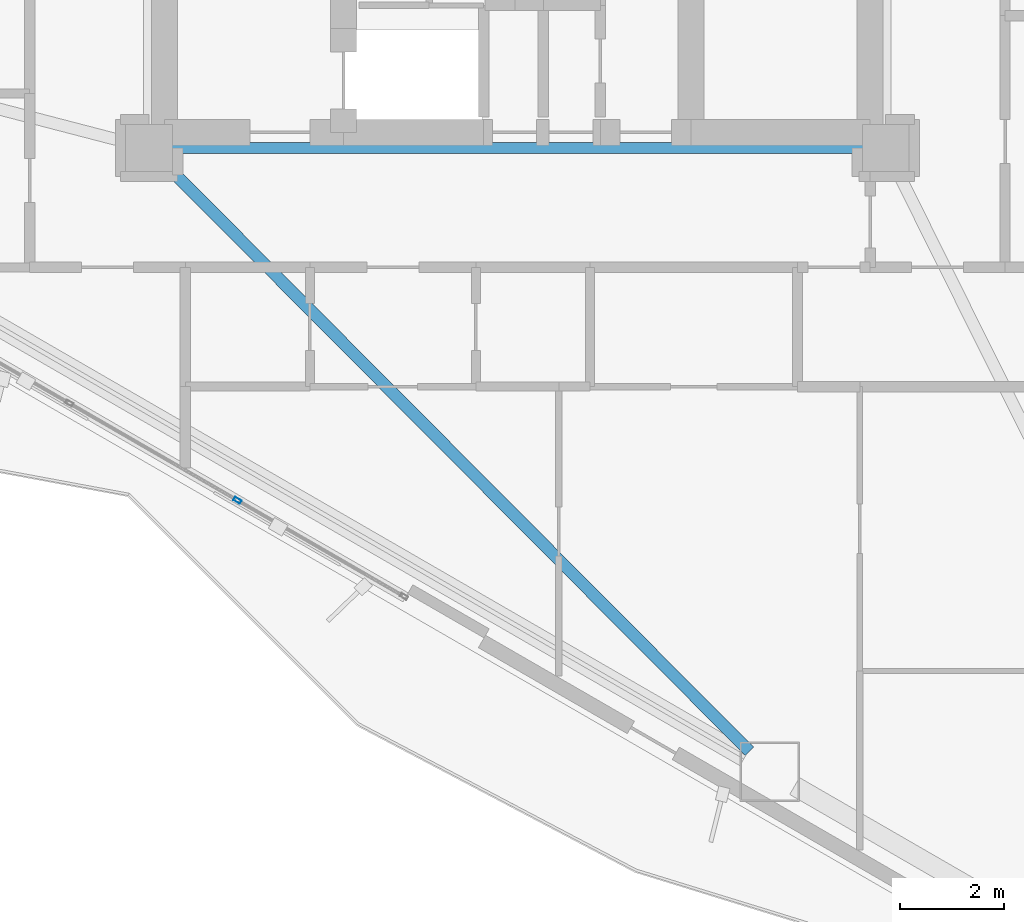
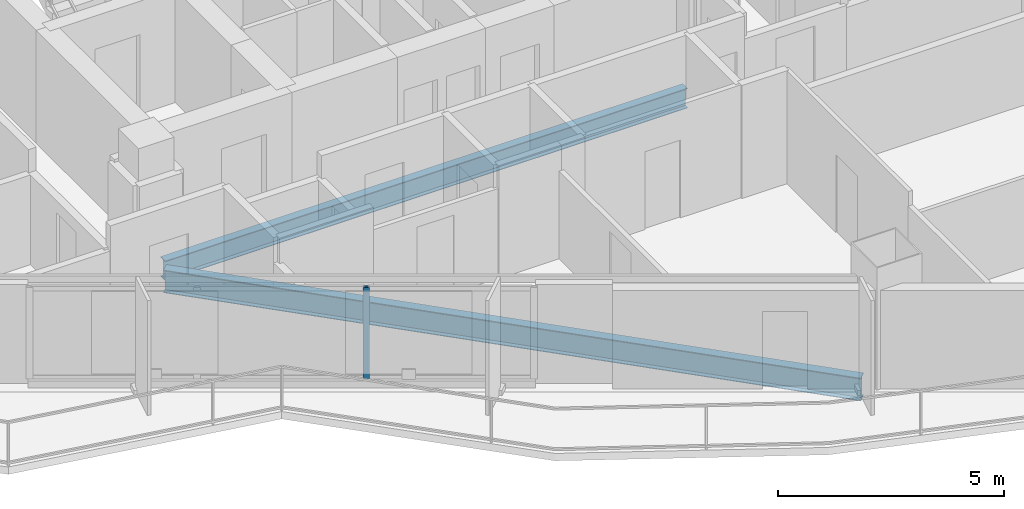
# One storey, part 4 of 22: 2 beams, 1 member, 1 element without a shape of its own.
"""IFC4 building model written with IfcOpenShell, lengths in metres."""

from ifc_helpers import new_model, si_unit, direction, frame, origin, origin_2d, place, context, subcontext, project, spatial, hollow_rectangle, i_section, extrude, material, layer, layer_set, material_profile, profile_set, type_object, element, aggregate, save


model = new_model("IFC4")

# Units and contexts
model_context = context("Model", 3, precision=1e-05, world=origin(), true_north=direction((0.0, 1.0)))
body_context = subcontext(model_context, "Body", "Model", "MODEL_VIEW")
ifc_project = project(units=[si_unit("LENGTHUNIT", "METRE"), si_unit("AREAUNIT", "SQUARE_METRE"), si_unit("VOLUMEUNIT", "CUBIC_METRE"), si_unit("PLANEANGLEUNIT", "RADIAN"), si_unit("MASSUNIT", "GRAM", prefix="KILO")], contexts=[model_context])

# Site, building, storey
site_placement = place(None, origin())
site = spatial("IfcSite", under=ifc_project, at=site_placement, CompositionType="ELEMENT")
building_placement = place(site_placement, origin())
building = spatial("IfcBuilding", under=site, at=building_placement, Name="Mersakhor Tower and Convention Hall", CompositionType="ELEMENT")
storey_placement = place(building_placement, frame((0.0, 0.0, 90.0)))
storey = spatial("IfcBuildingStorey", under=building, at=storey_placement, Name="L24", CompositionType="ELEMENT", Elevation=90.0)

# Beams
ifc_material_1 = material(Name="Steel S355", Category="steel")
ifc_material_profile_1 = material_profile(ifc_material_1, i_section(OverallWidth=0.2099609375, OverallDepth=0.53662109375, WebThickness=0.0107421875, FlangeThickness=0.017333984375, at=origin_2d()), Name="UB 533x210x101")
ifc_profile_set_1 = profile_set([ifc_material_profile_1], Name="Steel S355")
beam_type_1 = type_object("IfcBeamType", Name="BM-FB-533", PredefinedType="BEAM", material=ifc_profile_set_1)
beam_1_placement = place(storey_placement, frame((35.669921875, 20.449951171875, -0.518310546875), z_axis=(-1.0, 0.0, 0.0), x_axis=(0.0, -1.0, 0.0)))
element("IfcBeam", 1, at=beam_1_placement, inside=storey, type_object=beam_type_1, Name="L24 Core Ring Tie Beam CRB-4", PredefinedType="BEAM", context=body_context, shape_type="SweptSolid", body=[
    extrude(i_section(OverallWidth=0.2099609375, OverallDepth=0.53662109375, WebThickness=0.0107421875, FlangeThickness=0.017333984375, at=origin_2d()), origin(), (0.0, 0.0, 1.0), 13.33984375),
])
ifc_material_2 = material(Name="Steel S355", Category="steel")
ifc_material_profile_2 = material_profile(ifc_material_2, i_section(OverallWidth=0.22900390625, OverallDepth=0.6123046875, WebThickness=0.011962890625, FlangeThickness=0.01953125, at=origin_2d()), Name="UB 610x229x125")
ifc_profile_set_2 = profile_set([ifc_material_profile_2], Name="Steel S355")
beam_type_2 = type_object("IfcBeamType", Name="BM-PR-610", PredefinedType="BEAM", material=ifc_profile_set_2)
beam_2_placement = place(storey_placement, frame((22.203369140625, 20.145263671875, -0.55615234375), z_axis=(0.705400603107, -0.708808852327, 0.0), x_axis=(0.708808852327, 0.705400603107, 0.0)))
element("IfcBeam", 2, at=beam_2_placement, inside=storey, type_object=beam_type_2, Name="L24 Primary Floor Girder FG-5", PredefinedType="BEAM", context=body_context, shape_type="SweptSolid", body=[
    extrude(i_section(OverallWidth=0.22900390625, OverallDepth=0.6123046875, WebThickness=0.011962890625, FlangeThickness=0.01953125, at=origin_2d()), origin(), (0.0, 0.0, 1.0), 15.973876953125),
])

# Curtain wall, member
ifc_material_3 = material(Name="Dark solar low-E aluminium curtain wall", Category="aluminium")
ifc_layer = layer(ifc_material_3, 0.159912109375)
ifc_layer_set = layer_set([ifc_layer], Name="Dark solar low-E aluminium curtain wall")
curtain_wall_type = type_object("IfcCurtainWallType", Name="CW-SYS-01", PredefinedType="USERDEFINED", material=ifc_layer_set)
curtain_wall_placement = place(storey_placement, origin())
curtain_wall = element("IfcCurtainWall", 3, at=curtain_wall_placement, inside=storey, type_object=curtain_wall_type, Name="L24 Dark-Glass Curtain Wall F3-B2", ObjectType="CURTAIN WALL", PredefinedType="USERDEFINED")
ifc_material_4 = material(Name="Anodised aluminium EN AW-6063 T6", Category="aluminium")
ifc_material_profile_3 = material_profile(ifc_material_4, hollow_rectangle(XDim=0.074951171875, YDim=0.14990234375, WallThickness=0.00634765625, at=origin_2d()), Name="RHS 150x75x6.3")
ifc_profile_set_3 = profile_set([ifc_material_profile_3], Name="Anodised aluminium EN AW-6063 T6")
member_type = type_object("IfcMemberType", Name="CWM-150x75", PredefinedType="MULLION", material=ifc_profile_set_3)
member_placement = place(storey_placement, frame((23.603515625, 13.659912109375, 0.199951171875), z_axis=(0.0, 0.0, 1.0), x_axis=(-0.499997904985, -0.866026613339, 0.0)))
member = element("IfcMember", 4, at=member_placement, type_object=member_type, Name="CW-01 mullion 2", PredefinedType="MULLION", context=body_context, shape_type="SweptSolid", body=[
    extrude(hollow_rectangle(XDim=0.074951171875, YDim=0.14990234375, WallThickness=0.00634765625, at=origin_2d()), origin(), (0.0, 0.0, 1.0), 2.469970703125),
])
aggregate(curtain_wall, [member])

save(model, "model.ifc")
